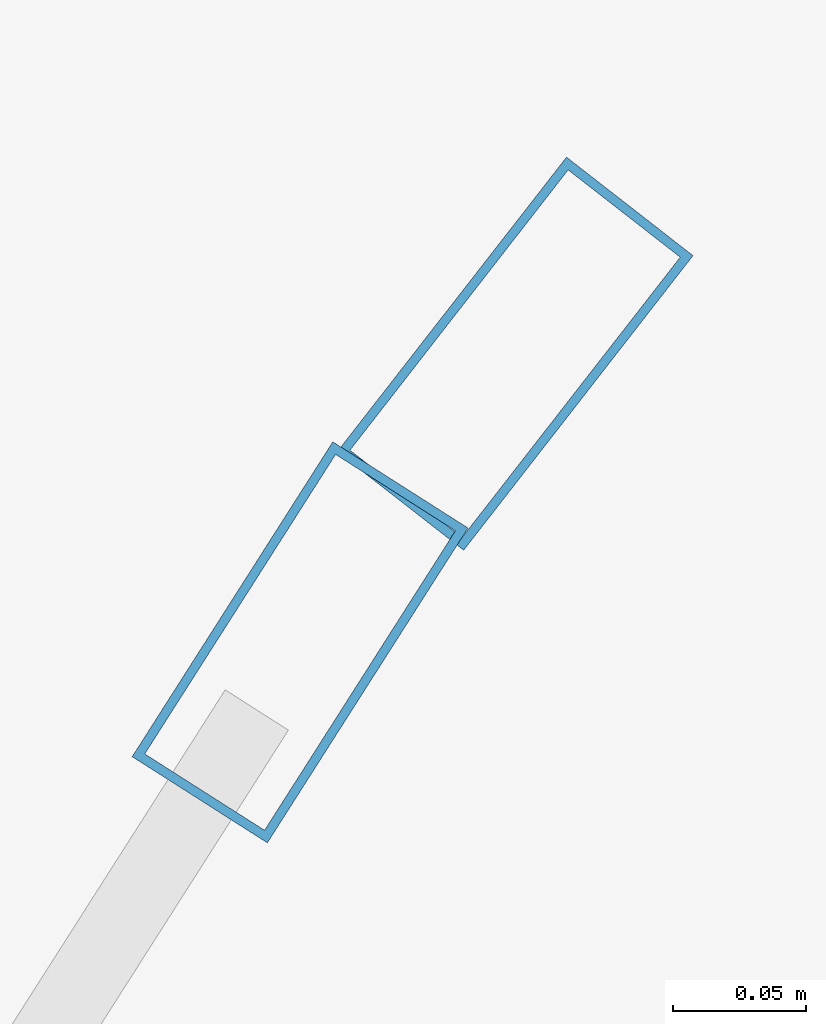
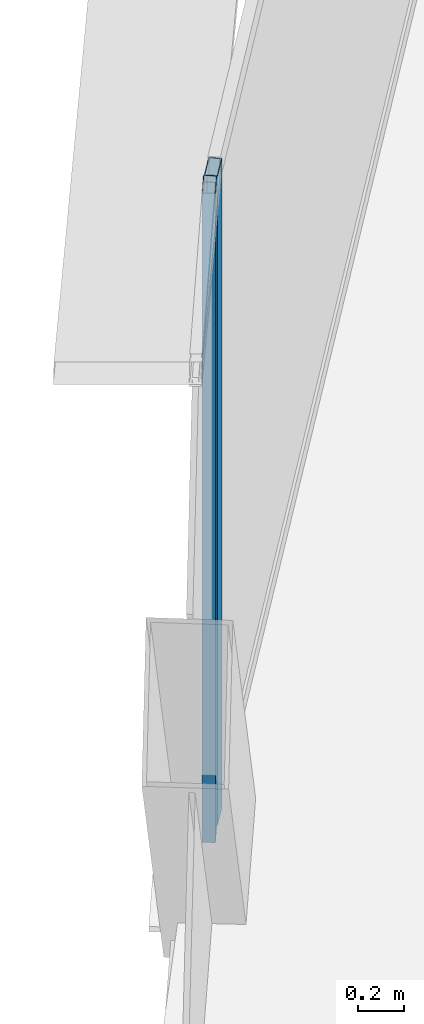
# One storey, part 22 of 40: 2 members, 2 elements without a shape of their own.
"""IFC4 building model written with IfcOpenShell, lengths in metres."""

from ifc_helpers import new_model, si_unit, direction, frame, origin, origin_2d, place, context, subcontext, project, spatial, hollow_rectangle, extrude, source, transform, mapped, material, layer, layer_set, material_profile, profile_set, type_object, element, aggregate, save


model = new_model("IFC4")

# Units and contexts
model_context = context("Model", 3, precision=1e-05, world=origin(), true_north=direction((0.0, 1.0)))
body_context = subcontext(model_context, "Body", "Model", "MODEL_VIEW")
ifc_project = project(units=[si_unit("LENGTHUNIT", "METRE"), si_unit("AREAUNIT", "SQUARE_METRE"), si_unit("VOLUMEUNIT", "CUBIC_METRE"), si_unit("PLANEANGLEUNIT", "RADIAN"), si_unit("MASSUNIT", "GRAM", prefix="KILO"), si_unit("THERMODYNAMICTEMPERATUREUNIT", "KELVIN"), si_unit("POWERUNIT", "WATT")], contexts=[model_context])

# Site, building, storey
site_placement = place(None, origin())
site = spatial("IfcSite", under=ifc_project, at=site_placement, CompositionType="ELEMENT")
building_placement = place(site_placement, origin())
building = spatial("IfcBuilding", under=site, at=building_placement, Name="Yunzhuo Pagoda Commons", CompositionType="ELEMENT")
storey_placement = place(building_placement, frame((0.0, 0.0, 288.75)))
storey = spatial("IfcBuildingStorey", under=building, at=storey_placement, Name="L72", CompositionType="ELEMENT", Elevation=288.75)

# Curtain wall, member
ifc_material = material(Name="Anodized aluminium 6063-T6", Category="aluminium")
ifc_layer = layer(ifc_material, 0.139892578125)
ifc_layer_set = layer_set([ifc_layer], Name="Anodized aluminium 6063-T6")
curtain_wall_type = type_object("IfcCurtainWallType", Name="CW-HI High-Zone Ribbon Curtain Wall", PredefinedType="NOTDEFINED", material=ifc_layer_set)
curtain_wall_1_placement = place(storey_placement, origin())
curtain_wall_1 = element("IfcCurtainWall", 1, at=curtain_wall_1_placement, inside=storey, type_object=curtain_wall_type, Name="L72 curtain wall CW-L72-F3B2", PredefinedType="NOTDEFINED")
ifc_material_profile = material_profile(ifc_material, hollow_rectangle(XDim=0.06005859375, YDim=0.139892578125, WallThickness=0.00341796875, at=origin_2d()), Name="Anodized aluminium 6063-T6")
ifc_profile_set = profile_set([ifc_material_profile], Name="Anodized aluminium 6063-T6")
member_type = type_object("IfcMemberType", Name="CW-HI-M Mullion RHS 140x60x3.5", PredefinedType="MULLION", material=ifc_profile_set)
shared_shape = source(origin(), body_context, "Body", "SweptSolid", [
    extrude(hollow_rectangle(XDim=0.06005859375, YDim=0.139892578125, WallThickness=0.00341796875, at=origin_2d()), origin(), (0.0, 0.0, 1.0), 3.469970703125),
])
member_1_placement = place(storey_placement, frame((34.79638671875, 63.29443359375, 0.0), z_axis=(0.0, 0.0, 1.0), x_axis=(0.84332965014, -0.537396595816, 0.0)))
member_1 = element("IfcMember", 2, at=member_1_placement, type_object=member_type, Name="CW mullion 1", PredefinedType="MULLION", context=body_context, shape_type="MappedRepresentation", body=[
    mapped(shared_shape, transform((0.0, 0.0, 0.0), scale=1.0)),
])
aggregate(curtain_wall_1, [member_1])

curtain_wall_2_placement = place(storey_placement, origin())
curtain_wall_2 = element("IfcCurtainWall", 3, at=curtain_wall_2_placement, inside=storey, type_object=curtain_wall_type, Name="L72 curtain wall CW-L72-F3B1", PredefinedType="NOTDEFINED")
member_2_placement = place(storey_placement, frame((34.876953125, 63.402587890625, 0.0), z_axis=(0.0, 0.0, 1.0), x_axis=(0.789102923127, -0.614261000482, 0.0)))
member_2 = element("IfcMember", 4, at=member_2_placement, type_object=member_type, Name="CW mullion 2", PredefinedType="MULLION", context=body_context, shape_type="MappedRepresentation", body=[
    mapped(shared_shape, transform((0.0, 0.0, 0.0), scale=1.0)),
])
aggregate(curtain_wall_2, [member_2])

save(model, "model.ifc")
